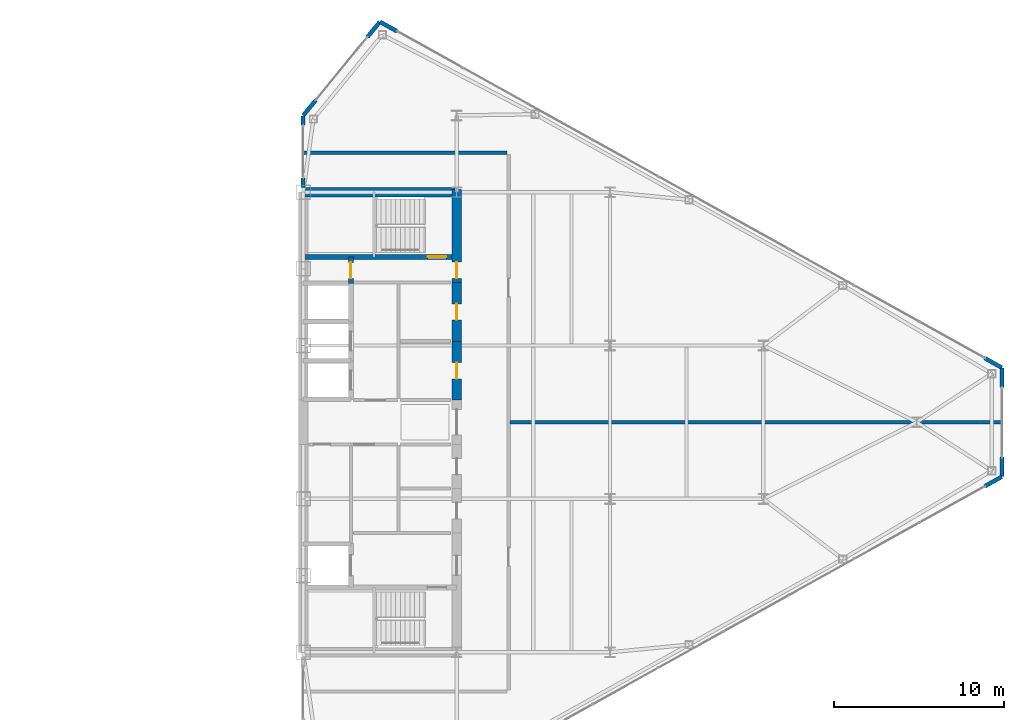
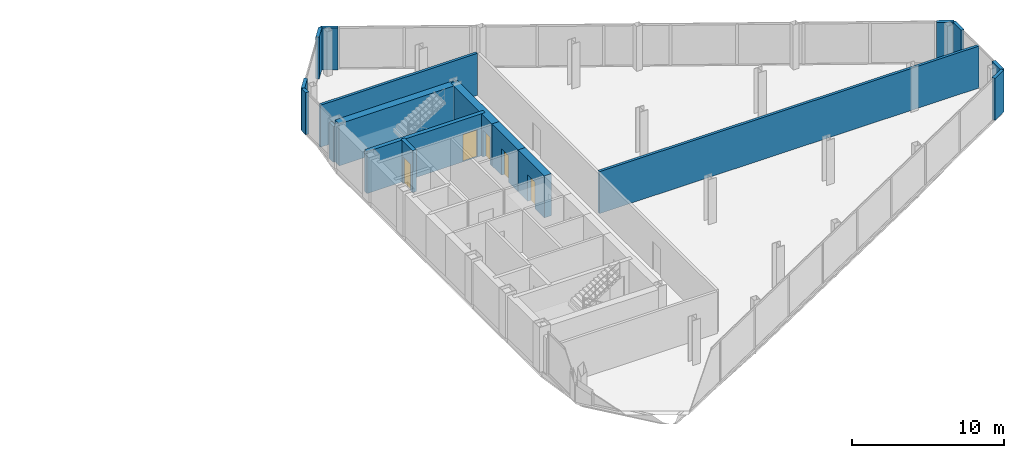
# One storey, part 23 of 26: 17 walls, 5 doors, 5 openings.
"""IFC4 building model written with IfcOpenShell, lengths in metres."""

from ifc_helpers import new_model, si_unit, direction, frame, frame_2d, origin, place, context, subcontext, project, spatial, rectangle, extrude, source, transform, mapped, material, layer, layer_set, type_object, type_shapes, element, fill, save


model = new_model("IFC4")

# Units and contexts
model_context = context("Model", 3, precision=1e-05, world=origin(), true_north=direction((0.0, 1.0)))
body_context = subcontext(model_context, "Body", "Model", "MODEL_VIEW")
ifc_project = project(units=[si_unit("LENGTHUNIT", "METRE"), si_unit("AREAUNIT", "SQUARE_METRE"), si_unit("VOLUMEUNIT", "CUBIC_METRE"), si_unit("PLANEANGLEUNIT", "RADIAN"), si_unit("MASSUNIT", "GRAM", prefix="KILO")], contexts=[model_context])

# Site, building, storey
site_placement = place(None, origin())
site = spatial("IfcSite", under=ifc_project, at=site_placement, CompositionType="ELEMENT")
building_placement = place(site_placement, origin())
building = spatial("IfcBuilding", under=site, at=building_placement, Name="Seokmaru Belvedere", CompositionType="ELEMENT")
storey_placement = place(building_placement, frame((0.0, 0.0, 181.5)))
storey = spatial("IfcBuildingStorey", under=building, at=storey_placement, Name="L48", CompositionType="ELEMENT", Elevation=181.5)

# Walls
ifc_material_1 = material(Name="Fire-Rated Gypsum Shaftwall")
ifc_layer_1 = layer(ifc_material_1, 0.199951171875)
ifc_layer_set_1 = layer_set([ifc_layer_1], Name="Fire-Rated Gypsum Shaftwall")
wall_type_1 = type_object("IfcWallType", Name="Inter-Tenancy Fire Compartment Partition 200", PredefinedType="PARTITIONING", material=ifc_layer_set_1)
wall_1_placement = place(storey_placement, frame((39.6298828125, 0.0, 0.0), z_axis=(0.0, 0.0, 1.0), x_axis=(1.0, 0.0, 0.0)))
element("IfcWall", 1, at=wall_1_placement, inside=storey, type_object=wall_type_1, Name="L48 Interior Partition 010", PredefinedType="PARTITIONING", context=body_context, shape_type="SweptSolid", body=[
    extrude(rectangle(XDim=28.875, YDim=0.199951171875, at=frame_2d((14.4375, 0.0))), origin(), (0.0, 0.0, 1.0), 3.3798828125),
])
wall_2_placement = place(storey_placement, frame((27.5, 15.800048828125, 0.0), z_axis=(0.0, 0.0, 1.0), x_axis=(1.0, 0.0, 0.0)))
element("IfcWall", 2, at=wall_2_placement, inside=storey, type_object=wall_type_1, Name="L48 Interior Partition 015", PredefinedType="PARTITIONING", context=body_context, shape_type="SweptSolid", body=[
    extrude(rectangle(XDim=11.965087890625, YDim=0.199951171875, at=frame_2d((5.982421875, 0.0))), origin(), (0.0, 0.0, 1.0), 3.3798828125),
])

# Wall, opening, door
ifc_material_2 = material(Name="Concrete C50 (50 MPa)", Category="concrete")
ifc_layer_2 = layer(ifc_material_2, 0.300048828125)
ifc_layer_set_2 = layer_set([ifc_layer_2], Name="Concrete C50 (50 MPa)")
wall_type_2 = type_object("IfcWallType", Name="Internal Core Stair and Hoistway Wall 300", PredefinedType="SHEAR", material=ifc_layer_set_2)
wall_3_placement = place(storey_placement, frame((27.5, 9.699951171875, 0.0), z_axis=(0.0, 0.0, 1.0), x_axis=(1.0, 0.0, 0.0)))
wall_3 = element("IfcWall", 3, at=wall_3_placement, inside=storey, type_object=wall_type_2, Name="L48 East Stair ST-2 Enclosure Wall", PredefinedType="SHEAR", context=body_context, shape_type="SweptSolid", body=[
    extrude(rectangle(XDim=9.0, YDim=0.300048828125, at=frame_2d((4.5, 0.0))), origin(), (0.0, 0.0, 1.0), 3.3798828125),
])
opening_1_placement = place(wall_3_placement, frame((7.300048828125, 0.0, 0.0)))
opening_1 = element("IfcOpeningElement", 4, at=opening_1_placement, cuts=wall_3, Name="Opening D01", PredefinedType="OPENING", context=body_context, shape_type="SweptSolid", body=[
    extrude(rectangle(XDim=1.10009765625, YDim=2.199951171875, at=frame_2d((0.550048828125, 1.10009765625))), frame((0.0, 0.16015625, 0.0), z_axis=(0.0, -1.0, 0.0), x_axis=(1.0, 0.0, 0.0)), (0.0, 0.0, 1.0), 0.320068359375),
])
ifc_material_3 = material(Name="Fire-Rated Steel Leaf", Category="steel")
door_type_1 = type_object("IfcDoorType", Name="Special Escape Stair Smokeproof Fire Door 1100x2200", OperationType="NOTDEFINED", PredefinedType="DOOR", material=ifc_material_3)
shared_shape_1 = source(origin(), body_context, "Body", "SweptSolid", [
    extrude(rectangle(XDim=1.10009765625, YDim=2.199951171875, at=frame_2d((0.550048828125, 1.10009765625))), frame((0.0, 0.02490234375, 0.0), z_axis=(0.0, -1.0, 0.0), x_axis=(1.0, 0.0, 0.0)), (0.0, 0.0, 1.0), 0.050048828125),
])
type_shapes(door_type_1, [shared_shape_1])
door_1_placement = place(opening_1_placement, origin())
door_1 = element("IfcDoor", 5, at=door_1_placement, inside=storey, type_object=door_type_1, Name="L48 East Special Escape Stair ST-2 Door", OperationType="SINGLE_SWING_LEFT", OverallHeight=2.199951171875, OverallWidth=1.10009765625, PredefinedType="DOOR", context=body_context, shape_type="MappedRepresentation", body=[
    mapped(shared_shape_1, transform((0.0, 0.0, 0.0), scale=1.0)),
])
fill(opening_1, door_1)

wall_4_placement = place(storey_placement, frame((30.300048828125, 8.14990234375, 0.0), z_axis=(0.0, 0.0, 1.0), x_axis=(0.0, 1.0, 0.0)))
wall_4 = element("IfcWall", 6, at=wall_4_placement, inside=storey, type_object=wall_type_2, Name="L48 East Electrical Riser Front Wall", PredefinedType="SHEAR", context=body_context, shape_type="SweptSolid", body=[
    extrude(rectangle(XDim=1.530029296875, YDim=0.300048828125, at=frame_2d((0.76513671875, 0.0))), origin(), (0.0, 0.0, 1.0), 3.3798828125),
])
opening_2_placement = place(wall_4_placement, frame((0.284912109375, 0.0, 0.0)))
opening_2 = element("IfcOpeningElement", 7, at=opening_2_placement, cuts=wall_4, Name="Opening D04", PredefinedType="OPENING", context=body_context, shape_type="SweptSolid", body=[
    extrude(rectangle(XDim=0.949951171875, YDim=2.14990234375, at=frame_2d((0.47509765625, 1.074951171875))), frame((0.0, 0.16015625, 0.0), z_axis=(0.0, -1.0, 0.0), x_axis=(1.0, 0.0, 0.0)), (0.0, 0.0, 1.0), 0.320068359375),
])
door_type_2 = type_object("IfcDoorType", Name="Core Service Room Fire Door 950x2150", OperationType="NOTDEFINED", PredefinedType="DOOR", material=ifc_material_3)
shared_shape_2 = source(origin(), body_context, "Body", "SweptSolid", [
    extrude(rectangle(XDim=0.949951171875, YDim=2.14990234375, at=frame_2d((0.47509765625, 1.074951171875))), frame((0.0, 0.02490234375, 0.0), z_axis=(0.0, -1.0, 0.0), x_axis=(1.0, 0.0, 0.0)), (0.0, 0.0, 1.0), 0.050048828125),
])
type_shapes(door_type_2, [shared_shape_2])
door_2_placement = place(opening_2_placement, origin())
door_2 = element("IfcDoor", 8, at=door_2_placement, inside=storey, type_object=door_type_2, Name="L48 East Electrical Riser Access Door", OperationType="SINGLE_SWING_RIGHT", OverallHeight=2.14990234375, OverallWidth=0.949951171875, PredefinedType="DOOR", context=body_context, shape_type="MappedRepresentation", body=[
    mapped(shared_shape_2, transform((0.0, 0.0, 0.0), scale=1.0)),
])
fill(opening_2, door_2)

# Wall
ifc_layer_3 = layer(ifc_material_2, 0.550048828125)
ifc_layer_set_3 = layer_set([ifc_layer_3], Name="Concrete C50 (50 MPa)")
wall_type_3 = type_object("IfcWallType", Name="Mid-High Reinforced Concrete Core Wall 550", PredefinedType="SHEAR", material=ifc_layer_set_3)
wall_5_placement = place(storey_placement, frame((27.5, 13.5, 0.0), z_axis=(0.0, 0.0, 1.0), x_axis=(1.0, 0.0, 0.0)))
element("IfcWall", 9, at=wall_5_placement, inside=storey, type_object=wall_type_3, Name="L48 East North Core Wall", PredefinedType="SHEAR", context=body_context, shape_type="SweptSolid", body=[
    extrude(rectangle(XDim=9.0, YDim=0.550048828125, at=frame_2d((4.5, 0.0))), origin(), (0.0, 0.0, 1.0), 3.3798828125),
])

# Wall, opening, door
wall_6_placement = place(storey_placement, frame((36.5, 8.199951171875, 0.0), z_axis=(0.0, 0.0, 1.0), x_axis=(0.0, 1.0, 0.0)))
wall_6 = element("IfcWall", 10, at=wall_6_placement, inside=storey, type_object=wall_type_3, Name="L48 East West Core Wall VST", PredefinedType="SHEAR", context=body_context, shape_type="SweptSolid", body=[
    extrude(rectangle(XDim=5.449951171875, YDim=0.550048828125, at=frame_2d((2.72509765625, 0.0))), origin(), (0.0, 0.0, 1.0), 3.3798828125),
])
opening_3_placement = place(wall_6_placement, frame((0.2451171875, 0.0, 0.0)))
opening_3 = element("IfcOpeningElement", 11, at=opening_3_placement, cuts=wall_6, Name="Opening D04", PredefinedType="OPENING", context=body_context, shape_type="SweptSolid", body=[
    extrude(rectangle(XDim=0.949951171875, YDim=2.14990234375, at=frame_2d((0.47509765625, 1.074951171875))), frame((0.0, 0.28515625, 0.0), z_axis=(0.0, -1.0, 0.0), x_axis=(1.0, 0.0, 0.0)), (0.0, 0.0, 1.0), 0.570068359375),
])
door_3_placement = place(opening_3_placement, origin())
door_3 = element("IfcDoor", 12, at=door_3_placement, inside=storey, type_object=door_type_2, Name="L48 East Smokeproof Vestibule Door", OperationType="SINGLE_SWING_LEFT", OverallHeight=2.14990234375, OverallWidth=0.949951171875, PredefinedType="DOOR", context=body_context, shape_type="MappedRepresentation", body=[
    mapped(shared_shape_2, transform((0.0, 0.0, 0.0), scale=1.0)),
])
fill(opening_3, door_3)

wall_7_placement = place(storey_placement, frame((36.5, 1.300048828125, 0.0), z_axis=(0.0, 0.0, 1.0), x_axis=(0.0, 1.0, 0.0)))
wall_7 = element("IfcWall", 13, at=wall_7_placement, inside=storey, type_object=wall_type_3, Name="L48 East West Core Wall CS3", PredefinedType="SHEAR", context=body_context, shape_type="SweptSolid", body=[
    extrude(rectangle(XDim=3.449951171875, YDim=0.550048828125, at=frame_2d((1.72509765625, 0.0))), origin(), (0.0, 0.0, 1.0), 3.3798828125),
])
opening_4_placement = place(wall_7_placement, frame((1.25, 0.0, 0.0)))
opening_4 = element("IfcOpeningElement", 14, at=opening_4_placement, cuts=wall_7, Name="Opening D04", PredefinedType="OPENING", context=body_context, shape_type="SweptSolid", body=[
    extrude(rectangle(XDim=0.949951171875, YDim=2.14990234375, at=frame_2d((0.47509765625, 1.074951171875))), frame((0.0, 0.28515625, 0.0), z_axis=(0.0, -1.0, 0.0), x_axis=(1.0, 0.0, 0.0)), (0.0, 0.0, 1.0), 0.570068359375),
])
door_4_placement = place(opening_4_placement, origin())
door_4 = element("IfcDoor", 15, at=door_4_placement, inside=storey, type_object=door_type_2, Name="L48 East Core Service Room Door 3", OperationType="SINGLE_SWING_RIGHT", OverallHeight=2.14990234375, OverallWidth=0.949951171875, PredefinedType="DOOR", context=body_context, shape_type="MappedRepresentation", body=[
    mapped(shared_shape_2, transform((0.0, 0.0, 0.0), scale=1.0)),
])
fill(opening_4, door_4)

wall_8_placement = place(storey_placement, frame((36.5, 4.75, 0.0), z_axis=(0.0, 0.0, 1.0), x_axis=(0.0, 1.0, 0.0)))
wall_8 = element("IfcWall", 16, at=wall_8_placement, inside=storey, type_object=wall_type_3, Name="L48 East West Core Wall CS4", PredefinedType="SHEAR", context=body_context, shape_type="SweptSolid", body=[
    extrude(rectangle(XDim=3.449951171875, YDim=0.550048828125, at=frame_2d((1.72509765625, 0.0))), origin(), (0.0, 0.0, 1.0), 3.3798828125),
])
opening_5_placement = place(wall_8_placement, frame((1.25, 0.0, 0.0)))
opening_5 = element("IfcOpeningElement", 17, at=opening_5_placement, cuts=wall_8, Name="Opening D04", PredefinedType="OPENING", context=body_context, shape_type="SweptSolid", body=[
    extrude(rectangle(XDim=0.949951171875, YDim=2.14990234375, at=frame_2d((0.47509765625, 1.074951171875))), frame((0.0, 0.28515625, 0.0), z_axis=(0.0, -1.0, 0.0), x_axis=(1.0, 0.0, 0.0)), (0.0, 0.0, 1.0), 0.570068359375),
])
door_5_placement = place(opening_5_placement, origin())
door_5 = element("IfcDoor", 18, at=door_5_placement, inside=storey, type_object=door_type_2, Name="L48 East Core Service Room Door 4", OperationType="SINGLE_SWING_LEFT", OverallHeight=2.14990234375, OverallWidth=0.949951171875, PredefinedType="DOOR", context=body_context, shape_type="MappedRepresentation", body=[
    mapped(shared_shape_2, transform((0.0, 0.0, 0.0), scale=1.0)),
])
fill(opening_5, door_5)

# Walls
ifc_material_4 = material(Name="Anodised Bronze Aluminium", Category="aluminium")
ifc_layer_4 = layer(ifc_material_4, 0.239990234375)
ifc_layer_set_4 = layer_set([ifc_layer_4], Name="Anodised Bronze Aluminium")
wall_type_4 = type_object("IfcWallType", Name="Tower Corner Spandrel Closure Wall 240", PredefinedType="SOLIDWALL", material=ifc_layer_set_4)
for number, where, z_axis, x_axis, name in (
    (19, (67.4951171875, -3.759033203125, 0.0), (0.0, 0.0, 1.0), (0.87385402111, 0.486188389196, 0.0), "L48 E Corner Closure Pier 1B"),
    (20, (68.5, -3.18994140625, 0.0), (0.0, 0.0, 1.0), (0.0, 1.0, 0.0), "L48 E Corner Closure Pier 2A"),
    (21, (68.5, 2.050048828125, 0.0), (0.0, 0.0, 1.0), (0.0, 1.0, 0.0), "L48 E Corner Closure Pier 2B"),
    (22, (68.4912109375, 3.204833984375, 0.0), (0.0, 0.0, 1.0), (-0.87385402111, 0.486188389196, 0.0), "L48 E Corner Closure Pier 3A"),
    (23, (33.0048828125, 22.94091796875, 0.0), (0.0, 0.0, 1.0), (-0.87385402111, 0.486188389196, 0.0), "L48 E Corner Closure Pier 3B"),
):
    element("IfcWall", number, at=place(storey_placement, frame(where, z_axis=z_axis, x_axis=x_axis)), inside=storey, type_object=wall_type_4, Name=name, PredefinedType="SOLIDWALL", context=body_context, shape_type="SweptSolid", body=[
        extrude(rectangle(XDim=1.139892578125, YDim=0.239990234375, at=frame_2d((0.56982421875, 0.0))), origin(), (0.0, 0.0, 1.0), 3.3798828125),
    ])
for number, where, z_axis, x_axis, name in (
    (24, (31.99365234375, 23.4921875, 0.0), (0.0, 0.0, 1.0), (-0.633249451965, -0.77394775766, 0.0), "L48 E Corner Closure Pier 4A"),
    (25, (28.228271484375, 18.89013671875, 0.0), (0.0, 0.0, 1.0), (-0.633249451965, -0.77394775766, 0.0), "L48 E Corner Closure Pier 4B"),
):
    element("IfcWall", number, at=place(storey_placement, frame(where, z_axis=z_axis, x_axis=x_axis)), inside=storey, type_object=wall_type_4, Name=name, PredefinedType="SOLIDWALL", context=body_context, shape_type="SweptSolid", body=[
        extrude(rectangle(XDim=1.14013671875, YDim=0.239990234375, at=frame_2d((0.570068359375, 0.0))), origin(), (0.0, 0.0, 1.0), 3.3798828125),
    ])
wall_9_placement = place(storey_placement, frame((27.5, 13.780029296875, 0.0), z_axis=(0.0, 0.0, 1.0), x_axis=(0.0, 1.0, 0.0)))
element("IfcWall", 26, at=wall_9_placement, inside=storey, type_object=wall_type_4, Name="L48 E Spine Closure Pier 2A", PredefinedType="SOLIDWALL", context=body_context, shape_type="SweptSolid", body=[
    extrude(rectangle(XDim=0.550048828125, YDim=0.239990234375, at=frame_2d((0.27490234375, 0.0))), origin(), (0.0, 0.0, 1.0), 2.8798828125),
])
wall_10_placement = place(storey_placement, frame((27.5, 17.429931640625, 0.0), z_axis=(0.0, 0.0, 1.0), x_axis=(0.0, 1.0, 0.0)))
element("IfcWall", 27, at=wall_10_placement, inside=storey, type_object=wall_type_4, Name="L48 E Spine Closure Pier 2B", PredefinedType="SOLIDWALL", context=body_context, shape_type="SweptSolid", body=[
    extrude(rectangle(XDim=0.550048828125, YDim=0.239990234375, at=frame_2d((0.27490234375, 0.0))), origin(), (0.0, 0.0, 1.0), 3.3798828125),
])

save(model, "model.ifc")
